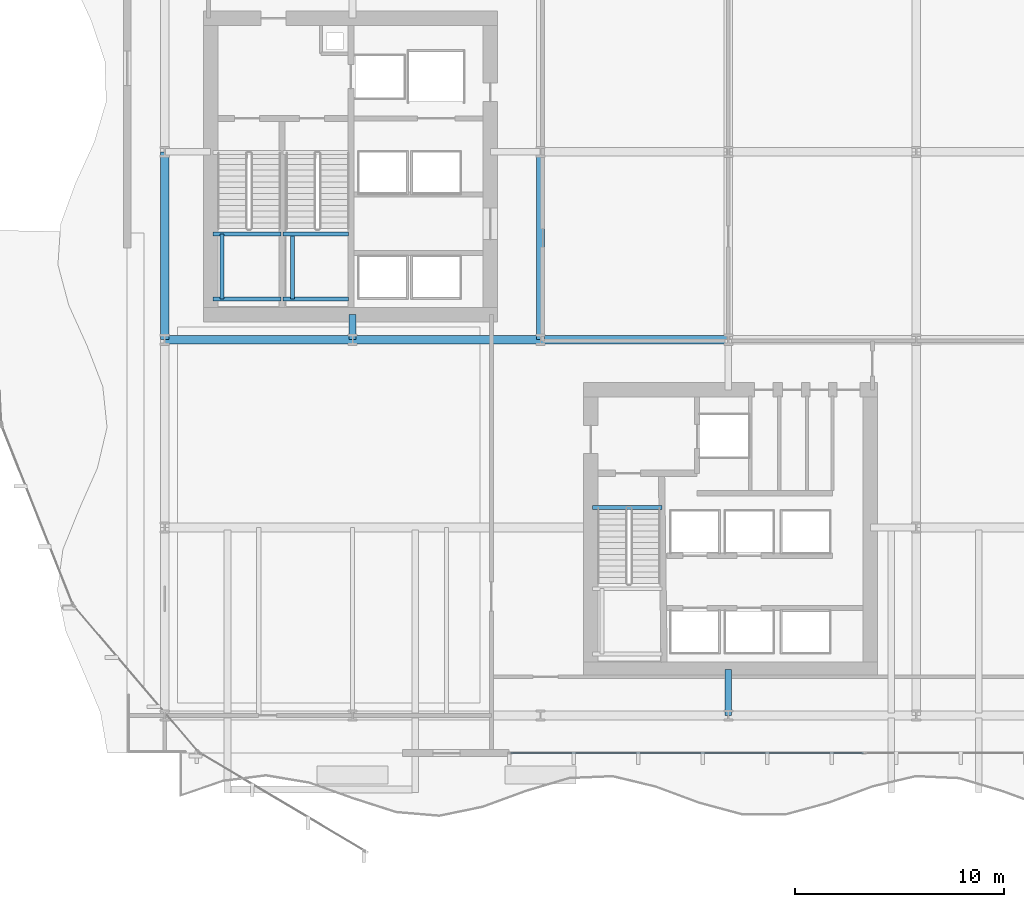
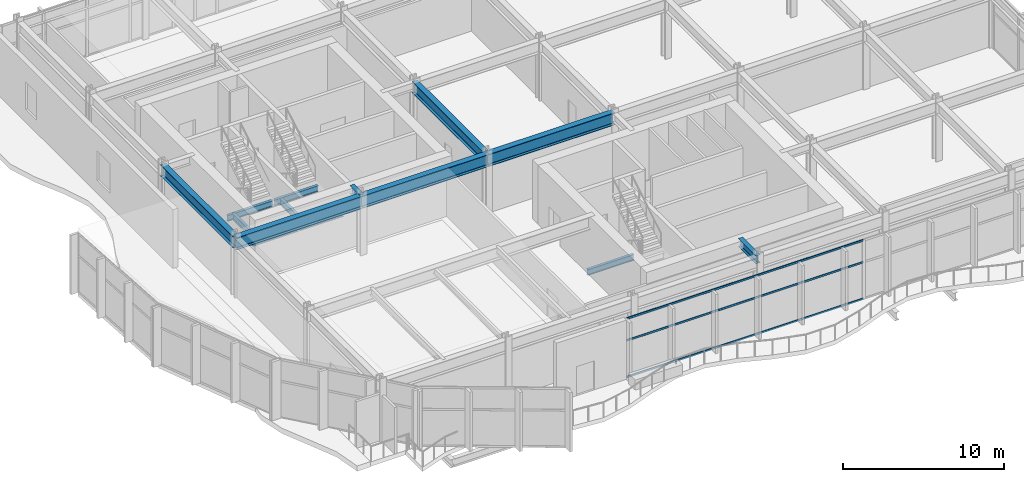
# One storey, part 6 of 29: 14 beams, 3 members, 1 element without a shape of its own.
"""IFC4 building model written with IfcOpenShell, lengths in metres."""

from ifc_helpers import new_model, si_unit, direction, frame, origin, origin_2d, place, context, subcontext, project, spatial, hollow_rectangle, i_section, extrude, material, layer, layer_set, material_profile, profile_set, type_object, element, aggregate, save


model = new_model("IFC4")

# Units and contexts
model_context = context("Model", 3, precision=1e-05, world=origin(), true_north=direction((0.0, 1.0)))
body_context = subcontext(model_context, "Body", "Model", "MODEL_VIEW")
ifc_project = project(units=[si_unit("LENGTHUNIT", "METRE"), si_unit("AREAUNIT", "SQUARE_METRE"), si_unit("VOLUMEUNIT", "CUBIC_METRE"), si_unit("PLANEANGLEUNIT", "RADIAN"), si_unit("MASSUNIT", "GRAM", prefix="KILO")], contexts=[model_context])

# Site, building, storey
site_placement = place(None, origin())
site = spatial("IfcSite", under=ifc_project, at=site_placement, CompositionType="ELEMENT")
building_placement = place(site_placement, origin())
building = spatial("IfcBuilding", under=site, at=building_placement, Name="Solvaryn Broadcast Tower", CompositionType="ELEMENT")
storey_placement = place(building_placement, frame((0.0, 0.0, 21.199951171875)))
storey = spatial("IfcBuildingStorey", under=building, at=storey_placement, Name="L04", CompositionType="ELEMENT", Elevation=21.199951171875)

# Beams
ifc_material_1 = material(Name="Steel ASTM A992 Grade 50", Category="steel")
ifc_material_profile_1 = material_profile(ifc_material_1, i_section(OverallWidth=0.323974609375, OverallDepth=0.611083984375, WebThickness=0.0126953125, FlangeThickness=0.01904296875, FilletRadius=0.014892578125, at=origin_2d()))
ifc_profile_set_1 = profile_set([ifc_material_profile_1], Name="Steel ASTM A992 Grade 50")
beam_type_1 = type_object("IfcBeamType", Name="BM-B1-W24X104", PredefinedType="BEAM", material=ifc_profile_set_1)
beam_1_placement = place(storey_placement, frame((36.0, 9.0, 4.174560546875), z_axis=(0.0, 1.0, 0.0), x_axis=(-1.0, 0.0, 0.0)))
element("IfcBeam", 1, at=beam_1_placement, inside=storey, type_object=beam_type_1, Name="L04 Core Tie Beam CTE1", PredefinedType="BEAM", context=body_context, shape_type="SweptSolid", body=[
    extrude(i_section(OverallWidth=0.323974609375, OverallDepth=0.611083984375, WebThickness=0.0126953125, FlangeThickness=0.01904296875, FilletRadius=0.014892578125, at=origin_2d()), origin(), (0.0, 0.0, 1.0), 2.199951171875),
])
beam_2_placement = place(storey_placement, frame((18.0, 27.0, 4.174560546875), z_axis=(0.0, 1.0, 0.0), x_axis=(-1.0, 0.0, 0.0)))
element("IfcBeam", 2, at=beam_2_placement, inside=storey, type_object=beam_type_1, Name="L04 Core Tie Beam CTW4", PredefinedType="BEAM", context=body_context, shape_type="SweptSolid", body=[
    extrude(i_section(OverallWidth=0.323974609375, OverallDepth=0.611083984375, WebThickness=0.0126953125, FlangeThickness=0.01904296875, FilletRadius=0.014892578125, at=origin_2d()), origin(), (0.0, 0.0, 1.0), 1.199951171875),
])
ifc_material_2 = material(Name="Steel ASTM A992 Grade 50", Category="steel")
ifc_material_profile_2 = material_profile(ifc_material_2, i_section(OverallWidth=0.18994140625, OverallDepth=0.45703125, WebThickness=0.009033203125, FlangeThickness=0.014404296875, FilletRadius=0.011962890625, at=origin_2d()))
ifc_profile_set_2 = profile_set([ifc_material_profile_2], Name="Steel ASTM A992 Grade 50")
beam_type_2 = type_object("IfcBeamType", Name="BM-B4-W18X50", PredefinedType="BEAM", material=ifc_profile_set_2)
for number, where, z_axis, x_axis, name in (
    (3, (11.300048828125, 28.949951171875, 1.971435546875), (1.0, 0.0, 0.0), (0.0, 1.0, 0.0), "L04 ST1 Landing Support Beam 1A"),
    (4, (11.300048828125, 32.070068359375, 1.971435546875), (1.0, 0.0, 0.0), (0.0, 1.0, 0.0), "L04 ST1 Landing Support Beam 1B"),
):
    element("IfcBeam", number, at=place(storey_placement, frame(where, z_axis=z_axis, x_axis=x_axis)), inside=storey, type_object=beam_type_2, Name=name, PredefinedType="BEAM", context=body_context, shape_type="SweptSolid", body=[
        extrude(i_section(OverallWidth=0.18994140625, OverallDepth=0.45703125, WebThickness=0.009033203125, FlangeThickness=0.014404296875, FilletRadius=0.011962890625, at=origin_2d()), origin(), (0.0, 0.0, 1.0), 3.280029296875),
    ])
beam_3_placement = place(storey_placement, frame((11.75, 28.949951171875, 1.971435546875), z_axis=(0.0, 1.0, 0.0), x_axis=(-1.0, 0.0, 0.0)))
element("IfcBeam", 5, at=beam_3_placement, inside=storey, type_object=beam_type_2, Name="L04 ST1 Landing Cross Stringer 1C", PredefinedType="BEAM", context=body_context, shape_type="SweptSolid", body=[
    extrude(i_section(OverallWidth=0.18994140625, OverallDepth=0.45703125, WebThickness=0.009033203125, FlangeThickness=0.014404296875, FilletRadius=0.011962890625, at=origin_2d()), origin(), (0.0, 0.0, 1.0), 3.1201171875),
])
for number, where, z_axis, x_axis, name in (
    (6, (14.659912109375, 28.949951171875, 1.971435546875), (1.0, 0.0, 0.0), (0.0, 1.0, 0.0), "L04 ST2 Landing Support Beam 1A"),
    (7, (14.659912109375, 32.070068359375, 1.971435546875), (1.0, 0.0, 0.0), (0.0, 1.0, 0.0), "L04 ST2 Landing Support Beam 1B"),
):
    element("IfcBeam", number, at=place(storey_placement, frame(where, z_axis=z_axis, x_axis=x_axis)), inside=storey, type_object=beam_type_2, Name=name, PredefinedType="BEAM", context=body_context, shape_type="SweptSolid", body=[
        extrude(i_section(OverallWidth=0.18994140625, OverallDepth=0.45703125, WebThickness=0.009033203125, FlangeThickness=0.014404296875, FilletRadius=0.011962890625, at=origin_2d()), origin(), (0.0, 0.0, 1.0), 3.14013671875),
    ])
beam_4_placement = place(storey_placement, frame((15.110107421875, 28.949951171875, 1.971435546875), z_axis=(0.0, 1.0, 0.0), x_axis=(-1.0, 0.0, 0.0)))
element("IfcBeam", 8, at=beam_4_placement, inside=storey, type_object=beam_type_2, Name="L04 ST2 Landing Cross Stringer 1C", PredefinedType="BEAM", context=body_context, shape_type="SweptSolid", body=[
    extrude(i_section(OverallWidth=0.18994140625, OverallDepth=0.45703125, WebThickness=0.009033203125, FlangeThickness=0.014404296875, FilletRadius=0.011962890625, at=origin_2d()), origin(), (0.0, 0.0, 1.0), 3.1201171875),
])
beam_5_placement = place(storey_placement, frame((29.5, 18.9599609375, -0.54833984375), z_axis=(1.0, 0.0, 0.0), x_axis=(0.0, 1.0, 0.0)))
element("IfcBeam", 9, at=beam_5_placement, inside=storey, type_object=beam_type_2, Name="L04 ST3 Stair Well Trimmer Beam", PredefinedType="BEAM", context=body_context, shape_type="SweptSolid", body=[
    extrude(i_section(OverallWidth=0.18994140625, OverallDepth=0.45703125, WebThickness=0.009033203125, FlangeThickness=0.014404296875, FilletRadius=0.011962890625, at=origin_2d()), origin(), (0.0, 0.0, 1.0), 3.320068359375),
])
ifc_material_3 = material(Name="Steel ASTM A992 Grade 50", Category="steel")
ifc_material_profile_3 = material_profile(ifc_material_3, i_section(OverallWidth=0.41796875, OverallDepth=0.927001953125, WebThickness=0.019287109375, FlangeThickness=0.031982421875, FilletRadius=0.02392578125, at=origin_2d()))
ifc_profile_set_3 = profile_set([ifc_material_profile_3], Name="Steel ASTM A992 Grade 50")
beam_type_3 = type_object("IfcBeamType", Name="BM-G2-W36X231", PredefinedType="BEAM", material=ifc_profile_set_3)
for number, where, z_axis, x_axis, name in (
    (10, (9.0, 27.0, 4.0166015625), (1.0, 0.0, 0.0), (0.0, 1.0, 0.0), "L04 Primary Beam X (9-18 @ Y=27)"),
    (11, (18.0, 27.0, 4.0166015625), (1.0, 0.0, 0.0), (0.0, 1.0, 0.0), "L04 Primary Beam X (18-27 @ Y=27)"),
    (12, (27.0, 27.0, 4.0166015625), (1.0, 0.0, 0.0), (0.0, 1.0, 0.0), "L04 Primary Beam X (27-36 @ Y=27)"),
):
    element("IfcBeam", number, at=place(storey_placement, frame(where, z_axis=z_axis, x_axis=x_axis)), inside=storey, type_object=beam_type_3, Name=name, PredefinedType="BEAM", context=body_context, shape_type="SweptSolid", body=[
        extrude(i_section(OverallWidth=0.41796875, OverallDepth=0.927001953125, WebThickness=0.019287109375, FlangeThickness=0.031982421875, FilletRadius=0.02392578125, at=origin_2d()), origin(), (0.0, 0.0, 1.0), 9.0),
    ])
ifc_material_4 = material(Name="Steel ASTM A992 Grade 50", Category="steel")
ifc_material_profile_4 = material_profile(ifc_material_4, i_section(OverallWidth=0.39990234375, OverallDepth=0.85498046875, WebThickness=0.018310546875, FlangeThickness=0.029296875, FilletRadius=0.02001953125, at=origin_2d()))
ifc_profile_set_4 = profile_set([ifc_material_profile_4], Name="Steel ASTM A992 Grade 50")
beam_type_4 = type_object("IfcBeamType", Name="BM-G3-W33X201", PredefinedType="BEAM", material=ifc_profile_set_4)
for number, where, z_axis, x_axis, name in (
    (13, (9.0, 27.0, 4.052490234375), (0.0, 1.0, 0.0), (-1.0, 0.0, 0.0), "L04 Primary Beam Y (27-36 @ X=9)"),
    (14, (27.0, 27.0, 4.052490234375), (0.0, 1.0, 0.0), (-1.0, 0.0, 0.0), "L04 Primary Beam Y (27-36 @ X=27)"),
):
    element("IfcBeam", number, at=place(storey_placement, frame(where, z_axis=z_axis, x_axis=x_axis)), inside=storey, type_object=beam_type_4, Name=name, PredefinedType="BEAM", context=body_context, shape_type="SweptSolid", body=[
        extrude(i_section(OverallWidth=0.39990234375, OverallDepth=0.85498046875, WebThickness=0.018310546875, FlangeThickness=0.029296875, FilletRadius=0.02001953125, at=origin_2d()), origin(), (0.0, 0.0, 1.0), 9.0),
    ])

# Curtain wall, members
ifc_material_5 = material(Name="Aluminium and Terracotta Unitised Curtain Wall", Category="masonry")
ifc_layer = layer(ifc_material_5, 0.219970703125)
ifc_layer_set = layer_set([ifc_layer], Name="CW-SYS1-PODIUM")
curtain_wall_type = type_object("IfcCurtainWallType", Name="CW-SYS1-PODIUM", PredefinedType="NOTDEFINED", material=ifc_layer_set)
curtain_wall_placement = place(storey_placement, origin())
curtain_wall = element("IfcCurtainWall", 15, at=curtain_wall_placement, inside=storey, type_object=curtain_wall_type, Name="L04 Podium Curtain Wall S1", PredefinedType="NOTDEFINED")
ifc_material_6 = material(Name="Anodised Aluminium 6063-T6", Category="aluminium")
ifc_material_profile_5 = material_profile(ifc_material_6, hollow_rectangle(XDim=0.06494140625, YDim=0.14990234375, WallThickness=0.00390625, InnerFilletRadius=0.00390625, OuterFilletRadius=0.008056640625, at=origin_2d()))
ifc_profile_set_5 = profile_set([ifc_material_profile_5], Name="Anodised Aluminium 6063-T6")
member_type = type_object("IfcMemberType", Name="CW-TRN-150", PredefinedType="USERDEFINED", material=ifc_profile_set_5)
member_1_placement = place(storey_placement, frame((42.469970703125, 7.199951171875, 0.030029296875), z_axis=(-1.0, 0.0, 0.0), x_axis=(0.0, -1.0, 0.0)))
member_1 = element("IfcMember", 16, at=member_1_placement, type_object=member_type, Name="CWS1 transom 2.1", ObjectType="TRANSOM", PredefinedType="USERDEFINED", context=body_context, shape_type="SweptSolid", body=[
    extrude(hollow_rectangle(XDim=0.06494140625, YDim=0.14990234375, WallThickness=0.00390625, InnerFilletRadius=0.00390625, OuterFilletRadius=0.008056640625, at=origin_2d()), origin(), (0.0, 0.0, 1.0), 16.909912109375),
])
member_2_placement = place(storey_placement, frame((42.469970703125, 7.199951171875, 2.800048828125), z_axis=(-1.0, 0.0, 0.0), x_axis=(0.0, -1.0, 0.0)))
member_2 = element("IfcMember", 17, at=member_2_placement, type_object=member_type, Name="CWS1 transom 2.2", ObjectType="TRANSOM", PredefinedType="USERDEFINED", context=body_context, shape_type="SweptSolid", body=[
    extrude(hollow_rectangle(XDim=0.06494140625, YDim=0.14990234375, WallThickness=0.00390625, InnerFilletRadius=0.00390625, OuterFilletRadius=0.008056640625, at=origin_2d()), origin(), (0.0, 0.0, 1.0), 16.909912109375),
])
member_3_placement = place(storey_placement, frame((42.469970703125, 7.199951171875, 4.449951171875), z_axis=(-1.0, 0.0, 0.0), x_axis=(0.0, -1.0, 0.0)))
member_3 = element("IfcMember", 18, at=member_3_placement, type_object=member_type, Name="CWS1 transom 2.3", ObjectType="TRANSOM", PredefinedType="USERDEFINED", context=body_context, shape_type="SweptSolid", body=[
    extrude(hollow_rectangle(XDim=0.06494140625, YDim=0.14990234375, WallThickness=0.00390625, InnerFilletRadius=0.00390625, OuterFilletRadius=0.008056640625, at=origin_2d()), origin(), (0.0, 0.0, 1.0), 16.909912109375),
])
aggregate(curtain_wall, [member_1, member_2, member_3])

save(model, "model.ifc")
